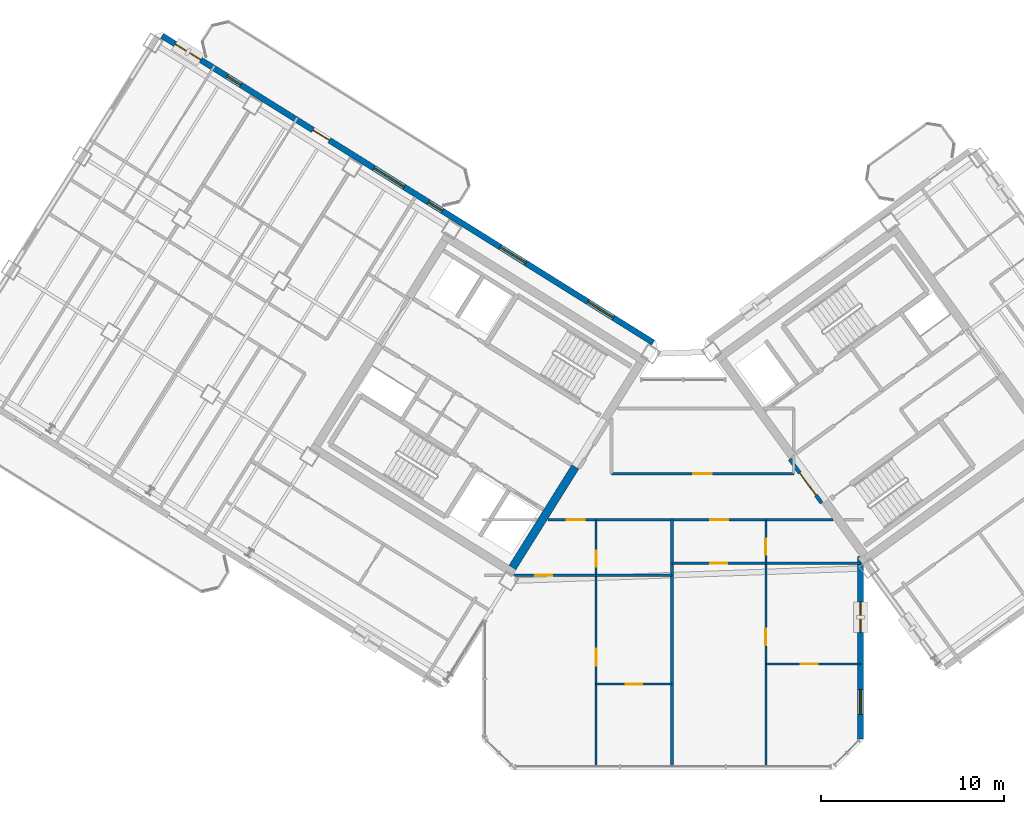
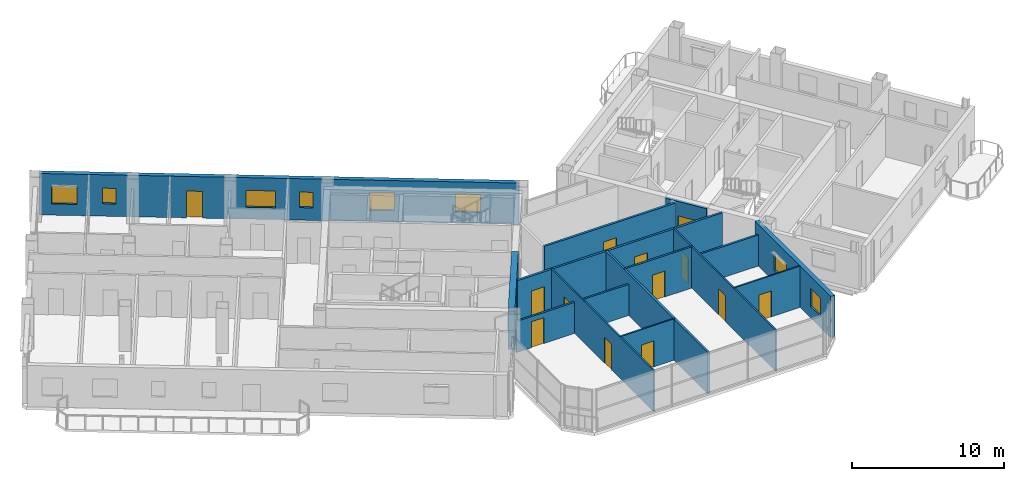
# One storey, part 18 of 27: 15 walls, 13 doors, 8 windows, 21 openings.
"""IFC4 building model written with IfcOpenShell, lengths in metres."""

from ifc_helpers import new_model, si_unit, direction, frame, frame_2d, origin, place, context, subcontext, project, spatial, rectangle, extrude, source, transform, mapped, material, layer, layer_set, type_object, element, fill, save


model = new_model("IFC4")

# Units and contexts
model_context = context("Model", 3, precision=1e-05, world=origin(), true_north=direction((0.0, 1.0)))
body_context = subcontext(model_context, "Body", "Model", "MODEL_VIEW")
ifc_project = project(units=[si_unit("LENGTHUNIT", "METRE"), si_unit("AREAUNIT", "SQUARE_METRE"), si_unit("VOLUMEUNIT", "CUBIC_METRE"), si_unit("PLANEANGLEUNIT", "RADIAN"), si_unit("MASSUNIT", "GRAM", prefix="KILO")], contexts=[model_context])

# Site, building, storey
site_placement = place(None, origin())
site = spatial("IfcSite", under=ifc_project, at=site_placement, CompositionType="ELEMENT")
building_placement = place(site_placement, origin())
building = spatial("IfcBuilding", under=site, at=building_placement, Name="Tlacorven Tower", CompositionType="ELEMENT")
storey_placement = place(building_placement, frame((0.0, 0.0, 242.10009765625)))
storey = spatial("IfcBuildingStorey", under=building, at=storey_placement, Name="L61", CompositionType="ELEMENT", Elevation=242.10009765625)

# Wall
ifc_material_1 = material(Name="Concrete C50/60", Category="concrete")
ifc_layer_1 = layer(ifc_material_1, 0.449951171875)
ifc_layer_set_1 = layer_set([ifc_layer_1], Name="Concrete C50/60")
wall_type_1 = type_object("IfcWallType", Name="WL-COR-450", PredefinedType="SHEAR", material=ifc_layer_set_1)
wall_1_placement = place(storey_placement, frame((36.683349609375, 18.30419921875, 0.0), z_axis=(0.0, 0.0, 1.0), x_axis=(-0.529904039071, -0.848057609704, 0.0)))
element("IfcWall", 1, at=wall_1_placement, inside=storey, type_object=wall_type_1, Name="L61 W core end wall E1.2", PredefinedType="SHEAR", context=body_context, shape_type="SweptSolid", body=[
    extrude(rectangle(XDim=6.47509765625, YDim=0.449951171875, at=frame_2d((3.237548828125, 0.0))), origin(), (0.0, 0.0, 1.0), 3.31982421875),
])

# Wall, openings, doors
ifc_material_2 = material(Name="Gypsum plasterboard acoustic partition", Category="gypsum")
ifc_layer_2 = layer(ifc_material_2, 0.159912109375)
ifc_layer_set_2 = layer_set([ifc_layer_2], Name="Gypsum plasterboard acoustic partition")
wall_type_2 = type_object("IfcWallType", Name="WL-DEM-160", PredefinedType="PARTITIONING", material=ifc_layer_set_2)
wall_2_placement = place(storey_placement, frame((35.178466796875, 15.419921875, 0.0), z_axis=(0.0, 0.0, 1.0), x_axis=(1.0, 0.0, 0.0)))
wall_2 = element("IfcWall", 2, at=wall_2_placement, inside=storey, type_object=wall_type_2, Name="L61 Knuckle Corridor South Wall", PredefinedType="PARTITIONING", context=body_context, shape_type="SweptSolid", body=[
    extrude(rectangle(XDim=15.55224609375, YDim=0.159912109375, at=frame_2d((7.776123046875, 0.0))), origin(), (0.0, 0.0, 1.0), 3.309814453125),
])
opening_1_placement = place(wall_2_placement, frame((1.028076171875, 0.0, 0.0)))
opening_1 = element("IfcOpeningElement", 3, at=opening_1_placement, cuts=wall_2, Name="Opening D11", PredefinedType="OPENING", context=body_context, shape_type="SweptSolid", body=[
    extrude(rectangle(XDim=1.0, YDim=2.10009765625, at=frame_2d((0.5, 1.050048828125))), frame((0.0, 0.08984375, 0.0), z_axis=(0.0, -1.0, 0.0), x_axis=(1.0, 0.0, 0.0)), (0.0, 0.0, 1.0), 0.179931640625),
])
opening_2_placement = place(wall_2_placement, frame((8.857666015625, 0.0, 0.0)))
opening_2 = element("IfcOpeningElement", 4, at=opening_2_placement, cuts=wall_2, Name="Opening D11", PredefinedType="OPENING", context=body_context, shape_type="SweptSolid", body=[
    extrude(rectangle(XDim=1.0, YDim=2.10009765625, at=frame_2d((0.5, 1.050048828125))), frame((0.0, 0.08984375, 0.0), z_axis=(0.0, -1.0, 0.0), x_axis=(1.0, 0.0, 0.0)), (0.0, 0.0, 1.0), 0.179931640625),
])
ifc_material_3 = material(Name="Fire-rated steel door assembly", Category="steel")
door_type_1 = type_object("IfcDoorType", Name="DR-FLT-FD60-1000", OperationType="NOTDEFINED", PredefinedType="DOOR", material=ifc_material_3)
shared_shape_1 = source(origin(), body_context, "Body", "SweptSolid", [
    extrude(rectangle(XDim=1.0, YDim=2.10009765625, at=frame_2d((0.5, 1.050048828125))), frame((0.0, 0.02490234375, 0.0), z_axis=(0.0, -1.0, 0.0), x_axis=(1.0, 0.0, 0.0)), (0.0, 0.0, 1.0), 0.050048828125),
])
door_1_placement = place(opening_1_placement, frame((1.0, 0.0, 0.0), z_axis=(0.0, 0.0, 1.0), x_axis=(-1.0, 0.0, 0.0)))
door_1 = element("IfcDoor", 5, at=door_1_placement, inside=storey, type_object=door_type_1, Name="L61 door 047", OperationType="SINGLE_SWING_LEFT", OverallHeight=2.10009765625, OverallWidth=1.0, PredefinedType="DOOR", context=body_context, shape_type="MappedRepresentation", body=[
    mapped(shared_shape_1, transform((0.0, 0.0, 0.0), scale=1.0)),
])
fill(opening_1, door_1)
door_2_placement = place(opening_2_placement, frame((1.0, 0.0, 0.0), z_axis=(0.0, 0.0, 1.0), x_axis=(-1.0, 0.0, 0.0)))
door_2 = element("IfcDoor", 6, at=door_2_placement, inside=storey, type_object=door_type_1, Name="L61 door 052", OperationType="SINGLE_SWING_RIGHT", OverallHeight=2.10009765625, OverallWidth=1.0, PredefinedType="DOOR", context=body_context, shape_type="MappedRepresentation", body=[
    mapped(shared_shape_1, transform((0.0, 0.0, 0.0), scale=1.0)),
])
fill(opening_2, door_2)

# Wall, opening, door
wall_3_placement = place(storey_placement, frame((38.64990234375, 17.929931640625, 0.0), z_axis=(0.0, 0.0, 1.0), x_axis=(1.0, 0.0, 0.0)))
wall_3 = element("IfcWall", 7, at=wall_3_placement, inside=storey, type_object=wall_type_2, Name="L61 partition 65", PredefinedType="PARTITIONING", context=body_context, shape_type="SweptSolid", body=[
    extrude(rectangle(XDim=9.9501953125, YDim=0.159912109375, at=frame_2d((4.97509765625, 0.0))), origin(), (0.0, 0.0, 1.0), 3.309814453125),
])
opening_3_placement = place(wall_3_placement, frame((4.47509765625, 0.0, 0.0)))
opening_3 = element("IfcOpeningElement", 8, at=opening_3_placement, cuts=wall_3, Name="Opening D11", PredefinedType="OPENING", context=body_context, shape_type="SweptSolid", body=[
    extrude(rectangle(XDim=1.0, YDim=2.10009765625, at=frame_2d((0.5, 1.050048828125))), frame((0.0, 0.08984375, 0.0), z_axis=(0.0, -1.0, 0.0), x_axis=(1.0, 0.0, 0.0)), (0.0, 0.0, 1.0), 0.179931640625),
])
door_3_placement = place(opening_3_placement, origin())
door_3 = element("IfcDoor", 9, at=door_3_placement, inside=storey, type_object=door_type_1, Name="L61 door 042", OperationType="SINGLE_SWING_RIGHT", OverallHeight=2.10009765625, OverallWidth=1.0, PredefinedType="DOOR", context=body_context, shape_type="MappedRepresentation", body=[
    mapped(shared_shape_1, transform((0.0, 0.0, 0.0), scale=1.0)),
])
fill(opening_3, door_3)

# Wall
wall_4_placement = place(storey_placement, frame((41.949951171875, 1.9599609375, 0.0), z_axis=(0.0, 0.0, 1.0), x_axis=(0.0, 1.0, 0.0)))
element("IfcWall", 10, at=wall_4_placement, inside=storey, type_object=wall_type_2, Name="L61 Knuckle Demising Wall 1", PredefinedType="PARTITIONING", context=body_context, shape_type="SweptSolid", body=[
    extrude(rectangle(XDim=13.4599609375, YDim=0.159912109375, at=frame_2d((6.72998046875, 0.0))), origin(), (0.0, 0.0, 1.0), 3.309814453125),
])

# Wall, openings, door, windows
ifc_material_4 = material(Name="Precast concrete C45/55", Category="concrete")
ifc_layer_3 = layer(ifc_material_4, 0.320068359375)
ifc_layer_set_3 = layer_set([ifc_layer_3], Name="Precast concrete C45/55")
wall_type_3 = type_object("IfcWallType", Name="WL-EXT-320", PredefinedType="STANDARD", material=ifc_layer_set_3)
wall_5_placement = place(storey_placement, frame((14.13818359375, 41.825439453125, 0.0), z_axis=(0.0, 0.0, 1.0), x_axis=(0.848046498049, -0.529921821731, 0.0)))
wall_5 = element("IfcWall", 11, at=wall_5_placement, inside=storey, type_object=wall_type_3, Name="L61 Masonry-Frame Recessed Facade Wall 3", PredefinedType="STANDARD", context=body_context, shape_type="SweptSolid", body=[
    extrude(rectangle(XDim=31.587646484375, YDim=0.320068359375, at=frame_2d((15.7939453125, 0.0))), origin(), (0.0, 0.0, 1.0), 3.31982421875),
])
opening_4_placement = place(wall_5_placement, frame((9.711669921875, 0.0, 0.0)))
opening_4 = element("IfcOpeningElement", 12, at=opening_4_placement, cuts=wall_5, Name="Opening D06", PredefinedType="OPENING", context=body_context, shape_type="SweptSolid", body=[
    extrude(rectangle(XDim=1.050048828125, YDim=2.14990234375, at=frame_2d((0.52490234375, 1.074951171875))), frame((0.0, 0.169921875, 0.0), z_axis=(0.0, -1.0, 0.0), x_axis=(1.0, 0.0, 0.0)), (0.0, 0.0, 1.0), 0.340087890625),
])
opening_5_placement = place(wall_5_placement, frame((0.84130859375, 0.0, 0.89990234375)))
opening_5 = element("IfcOpeningElement", 13, at=opening_5_placement, cuts=wall_5, Name="Opening WN07", PredefinedType="OPENING", context=body_context, shape_type="SweptSolid", body=[
    extrude(rectangle(XDim=1.64990234375, YDim=1.449951171875, at=frame_2d((0.824951171875, 0.72509765625))), frame((0.0, 0.169921875, 0.0), z_axis=(0.0, -1.0, 0.0), x_axis=(1.0, 0.0, 0.0)), (0.0, 0.0, 1.0), 0.340087890625),
])
opening_6_placement = place(wall_5_placement, frame((4.171142578125, 0.0, 1.0)))
opening_6 = element("IfcOpeningElement", 14, at=opening_6_placement, cuts=wall_5, Name="Opening WN05", PredefinedType="OPENING", context=body_context, shape_type="SweptSolid", body=[
    extrude(rectangle(XDim=0.89990234375, YDim=1.25, at=frame_2d((0.449951171875, 0.625))), frame((0.0, 0.169921875, 0.0), z_axis=(0.0, -1.0, 0.0), x_axis=(1.0, 0.0, 0.0)), (0.0, 0.0, 1.0), 0.340087890625),
])
opening_7_placement = place(wall_5_placement, frame((13.623779296875, 0.0, 0.949951171875)))
opening_7 = element("IfcOpeningElement", 15, at=opening_7_placement, cuts=wall_5, Name="Opening WN09", PredefinedType="OPENING", context=body_context, shape_type="SweptSolid", body=[
    extrude(rectangle(XDim=1.949951171875, YDim=1.35009765625, at=frame_2d((0.97509765625, 0.675048828125))), frame((0.0, 0.169921875, 0.0), z_axis=(0.0, -1.0, 0.0), x_axis=(1.0, 0.0, 0.0)), (0.0, 0.0, 1.0), 0.340087890625),
])
opening_8_placement = place(wall_5_placement, frame((17.128662109375, 0.0, 1.0)))
opening_8 = element("IfcOpeningElement", 16, at=opening_8_placement, cuts=wall_5, Name="Opening WN05", PredefinedType="OPENING", context=body_context, shape_type="SweptSolid", body=[
    extrude(rectangle(XDim=0.89990234375, YDim=1.25, at=frame_2d((0.449951171875, 0.625))), frame((0.0, 0.169921875, 0.0), z_axis=(0.0, -1.0, 0.0), x_axis=(1.0, 0.0, 0.0)), (0.0, 0.0, 1.0), 0.340087890625),
])
opening_9_placement = place(wall_5_placement, frame((21.74365234375, 0.0, 0.89990234375)))
opening_9 = element("IfcOpeningElement", 17, at=opening_9_placement, cuts=wall_5, Name="Opening WN07", PredefinedType="OPENING", context=body_context, shape_type="SweptSolid", body=[
    extrude(rectangle(XDim=1.64990234375, YDim=1.449951171875, at=frame_2d((0.824951171875, 0.72509765625))), frame((0.0, 0.169921875, 0.0), z_axis=(0.0, -1.0, 0.0), x_axis=(1.0, 0.0, 0.0)), (0.0, 0.0, 1.0), 0.340087890625),
])
opening_10_placement = place(wall_5_placement, frame((27.393798828125, 0.0, 0.89990234375)))
opening_10 = element("IfcOpeningElement", 18, at=opening_10_placement, cuts=wall_5, Name="Opening WN07", PredefinedType="OPENING", context=body_context, shape_type="SweptSolid", body=[
    extrude(rectangle(XDim=1.64990234375, YDim=1.449951171875, at=frame_2d((0.824951171875, 0.72509765625))), frame((0.0, 0.169921875, 0.0), z_axis=(0.0, -1.0, 0.0), x_axis=(1.0, 0.0, 0.0)), (0.0, 0.0, 1.0), 0.340087890625),
])
ifc_material_5 = material(Name="Powder-coated aluminium and timber door", Category="wood")
door_type_2 = type_object("IfcDoorType", Name="DR-EXT-BALC-1050", OperationType="NOTDEFINED", PredefinedType="DOOR", material=ifc_material_5)
shared_shape_2 = source(origin(), body_context, "Body", "SweptSolid", [
    extrude(rectangle(XDim=1.050048828125, YDim=2.14990234375, at=frame_2d((0.52490234375, 1.074951171875))), frame((0.0, 0.02490234375, 0.0), z_axis=(0.0, -1.0, 0.0), x_axis=(1.0, 0.0, 0.0)), (0.0, 0.0, 1.0), 0.050048828125),
])
door_4_placement = place(opening_4_placement, origin())
door_4 = element("IfcDoor", 19, at=door_4_placement, inside=storey, type_object=door_type_2, Name="L61 Outdoor Access Door BAL-L61-W-IN", OperationType="SINGLE_SWING_RIGHT", OverallHeight=2.14990234375, OverallWidth=1.050048828125, PredefinedType="DOOR", context=body_context, shape_type="MappedRepresentation", body=[
    mapped(shared_shape_2, transform((0.0, 0.0, 0.0), scale=1.0)),
])
fill(opening_4, door_4)
ifc_material_6 = material(Name="Dark solar low-E double glazing in anodised aluminium frame", Category="aluminium")
window_type_1 = type_object("IfcWindowType", Name="WN-APT-0900X1350", PartitioningType="SINGLE_PANEL", PredefinedType="WINDOW", material=ifc_material_6)
shared_shape_3 = source(origin(), body_context, "Body", "SweptSolid", [
    extrude(rectangle(XDim=0.89990234375, YDim=1.25, at=frame_2d((0.449951171875, 0.625))), frame((0.0, 0.030029296875, 0.0), z_axis=(0.0, -1.0, 0.0), x_axis=(1.0, 0.0, 0.0)), (0.0, 0.0, 1.0), 0.06005859375),
])
window_1_placement = place(opening_6_placement, origin())
window_1 = element("IfcWindow", 20, at=window_1_placement, inside=storey, type_object=window_type_1, Name="L61 Recessed Masonry-Frame Window L61-03.2", OverallHeight=1.25, OverallWidth=0.89990234375, PartitioningType="SINGLE_PANEL", PredefinedType="WINDOW", context=body_context, shape_type="MappedRepresentation", body=[
    mapped(shared_shape_3, transform((0.0, 0.0, 0.0), scale=1.0)),
])
fill(opening_6, window_1)
window_2_placement = place(opening_8_placement, origin())
window_2 = element("IfcWindow", 21, at=window_2_placement, inside=storey, type_object=window_type_1, Name="L61 Recessed Masonry-Frame Window L61-03.4", OverallHeight=1.25, OverallWidth=0.89990234375, PartitioningType="SINGLE_PANEL", PredefinedType="WINDOW", context=body_context, shape_type="MappedRepresentation", body=[
    mapped(shared_shape_3, transform((0.0, 0.0, 0.0), scale=1.0)),
])
fill(opening_8, window_2)
window_type_2 = type_object("IfcWindowType", Name="WN-APT-1650X1600", PartitioningType="SINGLE_PANEL", PredefinedType="WINDOW", material=ifc_material_6)
shared_shape_4 = source(origin(), body_context, "Body", "SweptSolid", [
    extrude(rectangle(XDim=1.64990234375, YDim=1.449951171875, at=frame_2d((0.824951171875, 0.72509765625))), frame((0.0, 0.030029296875, 0.0), z_axis=(0.0, -1.0, 0.0), x_axis=(1.0, 0.0, 0.0)), (0.0, 0.0, 1.0), 0.06005859375),
])
window_3_placement = place(opening_5_placement, origin())
window_3 = element("IfcWindow", 22, at=window_3_placement, inside=storey, type_object=window_type_2, Name="L61 Recessed Masonry-Frame Window L61-03.1", OverallHeight=1.449951171875, OverallWidth=1.64990234375, PartitioningType="SINGLE_PANEL", PredefinedType="WINDOW", context=body_context, shape_type="MappedRepresentation", body=[
    mapped(shared_shape_4, transform((0.0, 0.0, 0.0), scale=1.0)),
])
fill(opening_5, window_3)
window_4_placement = place(opening_9_placement, origin())
window_4 = element("IfcWindow", 23, at=window_4_placement, inside=storey, type_object=window_type_2, Name="L61 Recessed Masonry-Frame Window L61-03.5", OverallHeight=1.449951171875, OverallWidth=1.64990234375, PartitioningType="SINGLE_PANEL", PredefinedType="WINDOW", context=body_context, shape_type="MappedRepresentation", body=[
    mapped(shared_shape_4, transform((0.0, 0.0, 0.0), scale=1.0)),
])
fill(opening_9, window_4)
window_5_placement = place(opening_10_placement, origin())
window_5 = element("IfcWindow", 24, at=window_5_placement, inside=storey, type_object=window_type_2, Name="L61 Recessed Masonry-Frame Window L61-03.6", OverallHeight=1.449951171875, OverallWidth=1.64990234375, PartitioningType="SINGLE_PANEL", PredefinedType="WINDOW", context=body_context, shape_type="MappedRepresentation", body=[
    mapped(shared_shape_4, transform((0.0, 0.0, 0.0), scale=1.0)),
])
fill(opening_10, window_5)
window_type_3 = type_object("IfcWindowType", Name="WN-GAL-1950X1450", PartitioningType="SINGLE_PANEL", PredefinedType="WINDOW", material=ifc_material_6)
shared_shape_5 = source(origin(), body_context, "Body", "SweptSolid", [
    extrude(rectangle(XDim=1.949951171875, YDim=1.35009765625, at=frame_2d((0.97509765625, 0.675048828125))), frame((0.0, 0.030029296875, 0.0), z_axis=(0.0, -1.0, 0.0), x_axis=(1.0, 0.0, 0.0)), (0.0, 0.0, 1.0), 0.06005859375),
])
window_6_placement = place(opening_7_placement, origin())
window_6 = element("IfcWindow", 25, at=window_6_placement, inside=storey, type_object=window_type_3, Name="L61 Recessed Masonry-Frame Window L61-03.3", OverallHeight=1.35009765625, OverallWidth=1.949951171875, PartitioningType="SINGLE_PANEL", PredefinedType="WINDOW", context=body_context, shape_type="MappedRepresentation", body=[
    mapped(shared_shape_5, transform((0.0, 0.0, 0.0), scale=1.0)),
])
fill(opening_7, window_6)

# Wall, openings, windows
wall_6_placement = place(storey_placement, frame((52.239990234375, 13.4140625, 0.0), z_axis=(0.0, 0.0, 1.0), x_axis=(0.0, -1.0, 0.0)))
wall_6 = element("IfcWall", 26, at=wall_6_placement, inside=storey, type_object=wall_type_3, Name="L61 Masonry-Frame Recessed Facade Wall 8", PredefinedType="STANDARD", context=body_context, shape_type="SweptSolid", body=[
    extrude(rectangle(XDim=9.94775390625, YDim=0.320068359375, at=frame_2d((4.973876953125, 0.0))), origin(), (0.0, 0.0, 1.0), 3.31982421875),
])
opening_11_placement = place(wall_6_placement, frame((2.492431640625, 0.0, 0.89990234375)))
opening_11 = element("IfcOpeningElement", 27, at=opening_11_placement, cuts=wall_6, Name="Opening WN07", PredefinedType="OPENING", context=body_context, shape_type="SweptSolid", body=[
    extrude(rectangle(XDim=1.64990234375, YDim=1.449951171875, at=frame_2d((0.824951171875, 0.72509765625))), frame((0.0, 0.169921875, 0.0), z_axis=(0.0, -1.0, 0.0), x_axis=(1.0, 0.0, 0.0)), (0.0, 0.0, 1.0), 0.340087890625),
])
opening_12_placement = place(wall_6_placement, frame((7.25830078125, 0.0, 0.89990234375)))
opening_12 = element("IfcOpeningElement", 28, at=opening_12_placement, cuts=wall_6, Name="Opening WN08", PredefinedType="OPENING", context=body_context, shape_type="SweptSolid", body=[
    extrude(rectangle(XDim=1.35009765625, YDim=1.449951171875, at=frame_2d((0.675048828125, 0.72509765625))), frame((0.0, 0.169921875, 0.0), z_axis=(0.0, -1.0, 0.0), x_axis=(1.0, 0.0, 0.0)), (0.0, 0.0, 1.0), 0.340087890625),
])
window_7_placement = place(opening_11_placement, origin())
window_7 = element("IfcWindow", 29, at=window_7_placement, inside=storey, type_object=window_type_2, Name="L61 Recessed Masonry-Frame Window L61-08.1", OverallHeight=1.449951171875, OverallWidth=1.64990234375, PartitioningType="SINGLE_PANEL", PredefinedType="WINDOW", context=body_context, shape_type="MappedRepresentation", body=[
    mapped(shared_shape_4, transform((0.0, 0.0, 0.0), scale=1.0)),
])
fill(opening_11, window_7)
window_type_4 = type_object("IfcWindowType", Name="WN-APT-1350X1550", PartitioningType="SINGLE_PANEL", PredefinedType="WINDOW", material=ifc_material_6)
shared_shape_6 = source(origin(), body_context, "Body", "SweptSolid", [
    extrude(rectangle(XDim=1.35009765625, YDim=1.449951171875, at=frame_2d((0.675048828125, 0.72509765625))), frame((0.0, 0.030029296875, 0.0), z_axis=(0.0, -1.0, 0.0), x_axis=(1.0, 0.0, 0.0)), (0.0, 0.0, 1.0), 0.06005859375),
])
window_8_placement = place(opening_12_placement, origin())
window_8 = element("IfcWindow", 30, at=window_8_placement, inside=storey, type_object=window_type_4, Name="L61 Recessed Masonry-Frame Window L61-08.2", OverallHeight=1.449951171875, OverallWidth=1.35009765625, PartitioningType="SINGLE_PANEL", PredefinedType="WINDOW", context=body_context, shape_type="MappedRepresentation", body=[
    mapped(shared_shape_6, transform((0.0, 0.0, 0.0), scale=1.0)),
])
fill(opening_12, window_8)

# Wall, openings, doors
ifc_material_7 = material(Name="Gypsum plasterboard partition", Category="gypsum")
ifc_layer_4 = layer(ifc_material_7, 0.110107421875)
ifc_layer_set_4 = layer_set([ifc_layer_4], Name="Gypsum plasterboard partition")
wall_type_4 = type_object("IfcWallType", Name="WL-INT-110", PredefinedType="PARTITIONING", material=ifc_layer_set_4)
wall_7_placement = place(storey_placement, frame((37.81298828125, 1.9599609375, 0.0), z_axis=(0.0, 0.0, 1.0), x_axis=(0.0, 1.0, 0.0)))
wall_7 = element("IfcWall", 31, at=wall_7_placement, inside=storey, type_object=wall_type_4, Name="L61 partition 71", PredefinedType="PARTITIONING", context=body_context, shape_type="SweptSolid", body=[
    extrude(rectangle(XDim=13.4599609375, YDim=0.110107421875, at=frame_2d((6.72998046875, 0.0))), origin(), (0.0, 0.0, 1.0), 3.309814453125),
])
opening_13_placement = place(wall_7_placement, frame((5.5, 0.0, 0.0)))
opening_13 = element("IfcOpeningElement", 32, at=opening_13_placement, cuts=wall_7, Name="Opening D12", PredefinedType="OPENING", context=body_context, shape_type="SweptSolid", body=[
    extrude(rectangle(XDim=0.919921875, YDim=2.080078125, at=frame_2d((0.4599609375, 1.0400390625))), frame((0.0, 0.06494140625, 0.0), z_axis=(0.0, -1.0, 0.0), x_axis=(1.0, 0.0, 0.0)), (0.0, 0.0, 1.0), 0.130126953125),
])
opening_14_placement = place(wall_7_placement, frame((10.889892578125, 0.0, 0.0)))
opening_14 = element("IfcOpeningElement", 33, at=opening_14_placement, cuts=wall_7, Name="Opening D13", PredefinedType="OPENING", context=body_context, shape_type="SweptSolid", body=[
    extrude(rectangle(XDim=0.8798828125, YDim=2.080078125, at=frame_2d((0.43994140625, 1.0400390625))), frame((0.0, 0.06494140625, 0.0), z_axis=(0.0, -1.0, 0.0), x_axis=(1.0, 0.0, 0.0)), (0.0, 0.0, 1.0), 0.130126953125),
])
door_type_3 = type_object("IfcDoorType", Name="DR-INT-WET-0880", OperationType="NOTDEFINED", PredefinedType="DOOR", material=ifc_material_5)
shared_shape_7 = source(origin(), body_context, "Body", "SweptSolid", [
    extrude(rectangle(XDim=0.8798828125, YDim=2.080078125, at=frame_2d((0.43994140625, 1.0400390625))), frame((0.0, 0.02490234375, 0.0), z_axis=(0.0, -1.0, 0.0), x_axis=(1.0, 0.0, 0.0)), (0.0, 0.0, 1.0), 0.050048828125),
])
door_5_placement = place(opening_14_placement, origin())
door_5 = element("IfcDoor", 34, at=door_5_placement, inside=storey, type_object=door_type_3, Name="L61 door 049", OperationType="SINGLE_SWING_LEFT", OverallHeight=2.080078125, OverallWidth=0.8798828125, PredefinedType="DOOR", context=body_context, shape_type="MappedRepresentation", body=[
    mapped(shared_shape_7, transform((0.0, 0.0, 0.0), scale=1.0)),
])
fill(opening_14, door_5)
door_type_4 = type_object("IfcDoorType", Name="DR-INT-ROOM-0920", OperationType="NOTDEFINED", PredefinedType="DOOR", material=ifc_material_5)
shared_shape_8 = source(origin(), body_context, "Body", "SweptSolid", [
    extrude(rectangle(XDim=0.919921875, YDim=2.080078125, at=frame_2d((0.4599609375, 1.0400390625))), frame((0.0, 0.02490234375, 0.0), z_axis=(0.0, -1.0, 0.0), x_axis=(1.0, 0.0, 0.0)), (0.0, 0.0, 1.0), 0.050048828125),
])
door_6_placement = place(opening_13_placement, origin())
door_6 = element("IfcDoor", 35, at=door_6_placement, inside=storey, type_object=door_type_4, Name="L61 door 045", OperationType="SINGLE_SWING_LEFT", OverallHeight=2.080078125, OverallWidth=0.919921875, PredefinedType="DOOR", context=body_context, shape_type="MappedRepresentation", body=[
    mapped(shared_shape_8, transform((0.0, 0.0, 0.0), scale=1.0)),
])
fill(opening_13, door_6)

# Wall, opening, door
wall_8_placement = place(storey_placement, frame((37.81298828125, 6.449951171875, 0.0), z_axis=(0.0, 0.0, 1.0), x_axis=(1.0, 0.0, 0.0)))
wall_8 = element("IfcWall", 36, at=wall_8_placement, inside=storey, type_object=wall_type_4, Name="L61 partition 74", PredefinedType="PARTITIONING", context=body_context, shape_type="SweptSolid", body=[
    extrude(rectangle(XDim=4.136962890625, YDim=0.110107421875, at=frame_2d((2.068359375, 0.0))), origin(), (0.0, 0.0, 1.0), 3.309814453125),
])
opening_15_placement = place(wall_8_placement, frame((1.6083984375, 0.0, 0.0)))
opening_15 = element("IfcOpeningElement", 37, at=opening_15_placement, cuts=wall_8, Name="Opening D12", PredefinedType="OPENING", context=body_context, shape_type="SweptSolid", body=[
    extrude(rectangle(XDim=0.919921875, YDim=2.080078125, at=frame_2d((0.4599609375, 1.0400390625))), frame((0.0, 0.06494140625, 0.0), z_axis=(0.0, -1.0, 0.0), x_axis=(1.0, 0.0, 0.0)), (0.0, 0.0, 1.0), 0.130126953125),
])
door_7_placement = place(opening_15_placement, origin())
door_7 = element("IfcDoor", 38, at=door_7_placement, inside=storey, type_object=door_type_4, Name="L61 door 046", OperationType="SINGLE_SWING_RIGHT", OverallHeight=2.080078125, OverallWidth=0.919921875, PredefinedType="DOOR", context=body_context, shape_type="MappedRepresentation", body=[
    mapped(shared_shape_8, transform((0.0, 0.0, 0.0), scale=1.0)),
])
fill(opening_15, door_7)

# Wall, openings, doors
wall_9_placement = place(storey_placement, frame((47.072021484375, 1.9599609375, 0.0), z_axis=(0.0, 0.0, 1.0), x_axis=(0.0, 1.0, 0.0)))
wall_9 = element("IfcWall", 39, at=wall_9_placement, inside=storey, type_object=wall_type_4, Name="L61 partition 75", PredefinedType="PARTITIONING", context=body_context, shape_type="SweptSolid", body=[
    extrude(rectangle(XDim=13.4599609375, YDim=0.110107421875, at=frame_2d((6.72998046875, 0.0))), origin(), (0.0, 0.0, 1.0), 3.309814453125),
])
opening_16_placement = place(wall_9_placement, frame((6.60009765625, 0.0, 0.0)))
opening_16 = element("IfcOpeningElement", 40, at=opening_16_placement, cuts=wall_9, Name="Opening D12", PredefinedType="OPENING", context=body_context, shape_type="SweptSolid", body=[
    extrude(rectangle(XDim=0.919921875, YDim=2.080078125, at=frame_2d((0.4599609375, 1.0400390625))), frame((0.0, 0.06494140625, 0.0), z_axis=(0.0, -1.0, 0.0), x_axis=(1.0, 0.0, 0.0)), (0.0, 0.0, 1.0), 0.130126953125),
])
opening_17_placement = place(wall_9_placement, frame((11.5400390625, 0.0, 0.0)))
opening_17 = element("IfcOpeningElement", 41, at=opening_17_placement, cuts=wall_9, Name="Opening D13", PredefinedType="OPENING", context=body_context, shape_type="SweptSolid", body=[
    extrude(rectangle(XDim=0.8798828125, YDim=2.080078125, at=frame_2d((0.43994140625, 1.0400390625))), frame((0.0, 0.06494140625, 0.0), z_axis=(0.0, -1.0, 0.0), x_axis=(1.0, 0.0, 0.0)), (0.0, 0.0, 1.0), 0.130126953125),
])
door_8_placement = place(opening_17_placement, origin())
door_8 = element("IfcDoor", 42, at=door_8_placement, inside=storey, type_object=door_type_3, Name="L61 door 054", OperationType="SINGLE_SWING_RIGHT", OverallHeight=2.080078125, OverallWidth=0.8798828125, PredefinedType="DOOR", context=body_context, shape_type="MappedRepresentation", body=[
    mapped(shared_shape_7, transform((0.0, 0.0, 0.0), scale=1.0)),
])
fill(opening_17, door_8)
door_9_placement = place(opening_16_placement, origin())
door_9 = element("IfcDoor", 43, at=door_9_placement, inside=storey, type_object=door_type_4, Name="L61 door 050", OperationType="SINGLE_SWING_RIGHT", OverallHeight=2.080078125, OverallWidth=0.919921875, PredefinedType="DOOR", context=body_context, shape_type="MappedRepresentation", body=[
    mapped(shared_shape_8, transform((0.0, 0.0, 0.0), scale=1.0)),
])
fill(opening_16, door_9)

# Wall, opening, door
wall_10_placement = place(storey_placement, frame((47.072021484375, 7.550048828125, 0.0), z_axis=(0.0, 0.0, 1.0), x_axis=(1.0, 0.0, 0.0)))
wall_10 = element("IfcWall", 44, at=wall_10_placement, inside=storey, type_object=wall_type_4, Name="L61 partition 78", PredefinedType="PARTITIONING", context=body_context, shape_type="SweptSolid", body=[
    extrude(rectangle(XDim=5.18798828125, YDim=0.110107421875, at=frame_2d((2.593994140625, 0.0))), origin(), (0.0, 0.0, 1.0), 3.309814453125),
])
opening_18_placement = place(wall_10_placement, frame((1.904052734375, 0.0, 0.0)))
opening_18 = element("IfcOpeningElement", 45, at=opening_18_placement, cuts=wall_10, Name="Opening D12", PredefinedType="OPENING", context=body_context, shape_type="SweptSolid", body=[
    extrude(rectangle(XDim=0.919921875, YDim=2.080078125, at=frame_2d((0.4599609375, 1.0400390625))), frame((0.0, 0.06494140625, 0.0), z_axis=(0.0, -1.0, 0.0), x_axis=(1.0, 0.0, 0.0)), (0.0, 0.0, 1.0), 0.130126953125),
])
door_10_placement = place(opening_18_placement, origin())
door_10 = element("IfcDoor", 46, at=door_10_placement, inside=storey, type_object=door_type_4, Name="L61 door 051", OperationType="SINGLE_SWING_LEFT", OverallHeight=2.080078125, OverallWidth=0.919921875, PredefinedType="DOOR", context=body_context, shape_type="MappedRepresentation", body=[
    mapped(shared_shape_8, transform((0.0, 0.0, 0.0), scale=1.0)),
])
fill(opening_18, door_10)

ifc_material_8 = material(Name="Moisture-resistant gypsum plumbing wall", Category="gypsum")
ifc_layer_5 = layer(ifc_material_8, 0.139892578125)
ifc_layer_set_5 = layer_set([ifc_layer_5], Name="Moisture-resistant gypsum plumbing wall")
wall_type_5 = type_object("IfcWallType", Name="WL-PLM-140", PredefinedType="PLUMBINGWALL", material=ifc_layer_set_5)
wall_11_placement = place(storey_placement, frame((33.338623046875, 12.389892578125, 0.0), z_axis=(0.0, 0.0, 1.0), x_axis=(1.0, 0.0, 0.0)))
wall_11 = element("IfcWall", 47, at=wall_11_placement, inside=storey, type_object=wall_type_5, Name="L61 partition 72", PredefinedType="PLUMBINGWALL", context=body_context, shape_type="SweptSolid", body=[
    extrude(rectangle(XDim=4.474365234375, YDim=0.139892578125, at=frame_2d((2.2373046875, 0.0))), origin(), (0.0, 0.0, 1.0), 2.494873046875),
])
opening_19_placement = place(wall_11_placement, frame((1.157958984375, 0.0, 0.0)))
opening_19 = element("IfcOpeningElement", 48, at=opening_19_placement, cuts=wall_11, Name="Opening D12", PredefinedType="OPENING", context=body_context, shape_type="SweptSolid", body=[
    extrude(rectangle(XDim=0.919921875, YDim=2.080078125, at=frame_2d((0.4599609375, 1.0400390625))), frame((0.0, 0.080078125, 0.0), z_axis=(0.0, -1.0, 0.0), x_axis=(1.0, 0.0, 0.0)), (0.0, 0.0, 1.0), 0.159912109375),
])
door_11_placement = place(opening_19_placement, frame((0.919921875, 0.0, 0.0), z_axis=(0.0, 0.0, 1.0), x_axis=(-1.0, 0.0, 0.0)))
door_11 = element("IfcDoor", 49, at=door_11_placement, inside=storey, type_object=door_type_4, Name="L61 door 048", OperationType="SINGLE_SWING_RIGHT", OverallHeight=2.080078125, OverallWidth=0.919921875, PredefinedType="DOOR", context=body_context, shape_type="MappedRepresentation", body=[
    mapped(shared_shape_8, transform((0.0, 0.0, 0.0), scale=1.0)),
])
fill(opening_19, door_11)

# Wall
wall_12_placement = place(storey_placement, frame((37.81298828125, 12.389892578125, 0.0), z_axis=(0.0, 0.0, 1.0), x_axis=(1.0, 0.0, 0.0)))
element("IfcWall", 50, at=wall_12_placement, inside=storey, type_object=wall_type_5, Name="L61 partition 73", PredefinedType="PLUMBINGWALL", context=body_context, shape_type="SweptSolid", body=[
    extrude(rectangle(XDim=4.136962890625, YDim=0.139892578125, at=frame_2d((2.068359375, 0.0))), origin(), (0.0, 0.0, 1.0), 2.494873046875),
])

# Wall, opening, door
wall_13_placement = place(storey_placement, frame((41.949951171875, 13.0400390625, 0.0), z_axis=(0.0, 0.0, 1.0), x_axis=(1.0, 0.0, 0.0)))
wall_13 = element("IfcWall", 51, at=wall_13_placement, inside=storey, type_object=wall_type_5, Name="L61 partition 76", PredefinedType="PLUMBINGWALL", context=body_context, shape_type="SweptSolid", body=[
    extrude(rectangle(XDim=5.1220703125, YDim=0.139892578125, at=frame_2d((2.56103515625, 0.0))), origin(), (0.0, 0.0, 1.0), 3.309814453125),
])
opening_20_placement = place(wall_13_placement, frame((2.10107421875, 0.0, 0.0)))
opening_20 = element("IfcOpeningElement", 52, at=opening_20_placement, cuts=wall_13, Name="Opening D12", PredefinedType="OPENING", context=body_context, shape_type="SweptSolid", body=[
    extrude(rectangle(XDim=0.919921875, YDim=2.080078125, at=frame_2d((0.4599609375, 1.0400390625))), frame((0.0, 0.080078125, 0.0), z_axis=(0.0, -1.0, 0.0), x_axis=(1.0, 0.0, 0.0)), (0.0, 0.0, 1.0), 0.159912109375),
])
door_12_placement = place(opening_20_placement, frame((0.919921875, 0.0, 0.0), z_axis=(0.0, 0.0, 1.0), x_axis=(-1.0, 0.0, 0.0)))
door_12 = element("IfcDoor", 53, at=door_12_placement, inside=storey, type_object=door_type_4, Name="L61 door 053", OperationType="SINGLE_SWING_LEFT", OverallHeight=2.080078125, OverallWidth=0.919921875, PredefinedType="DOOR", context=body_context, shape_type="MappedRepresentation", body=[
    mapped(shared_shape_8, transform((0.0, 0.0, 0.0), scale=1.0)),
])
fill(opening_20, door_12)

# Wall
wall_14_placement = place(storey_placement, frame((47.072021484375, 13.0400390625, 0.0), z_axis=(0.0, 0.0, 1.0), x_axis=(1.0, 0.0, 0.0)))
element("IfcWall", 54, at=wall_14_placement, inside=storey, type_object=wall_type_5, Name="L61 partition 77", PredefinedType="PLUMBINGWALL", context=body_context, shape_type="SweptSolid", body=[
    extrude(rectangle(XDim=5.18798828125, YDim=0.139892578125, at=frame_2d((2.593994140625, 0.0))), origin(), (0.0, 0.0, 1.0), 2.494873046875),
])

# Wall, opening, door
ifc_material_9 = material(Name="Concrete C40/50", Category="concrete")
ifc_layer_6 = layer(ifc_material_9, 0.199951171875)
ifc_layer_set_6 = layer_set([ifc_layer_6], Name="Concrete C40/50")
wall_type_6 = type_object("IfcWallType", Name="WL-SHF-200", PredefinedType="STANDARD", material=ifc_layer_set_6)
wall_15_placement = place(storey_placement, frame((50.119140625, 16.3330078125, 0.0), z_axis=(0.0, 0.0, 1.0), x_axis=(-0.587749856981, 0.809042709391, 0.0)))
wall_15 = element("IfcWall", 55, at=wall_15_placement, inside=storey, type_object=wall_type_6, Name="L61 partition 69", PredefinedType="STANDARD", context=body_context, shape_type="SweptSolid", body=[
    extrude(rectangle(XDim=2.9599609375, YDim=0.199951171875, at=frame_2d((1.47998046875, 0.0))), origin(), (0.0, 0.0, 1.0), 3.309814453125),
])
opening_21_placement = place(wall_15_placement, frame((0.530029296875, 0.0, 0.0)))
opening_21 = element("IfcOpeningElement", 56, at=opening_21_placement, cuts=wall_15, Name="Opening D10", PredefinedType="OPENING", context=body_context, shape_type="SweptSolid", body=[
    extrude(rectangle(XDim=1.5, YDim=2.14990234375, at=frame_2d((0.75, 1.074951171875))), frame((0.0, 0.10986328125, 0.0), z_axis=(0.0, -1.0, 0.0), x_axis=(1.0, 0.0, 0.0)), (0.0, 0.0, 1.0), 0.219970703125),
])
door_type_5 = type_object("IfcDoorType", Name="DR-LOB-FD60-1500", OperationType="DOUBLE_DOOR_SINGLE_SWING", PredefinedType="DOOR", material=ifc_material_3)
shared_shape_9 = source(origin(), body_context, "Body", "SweptSolid", [
    extrude(rectangle(XDim=1.5, YDim=2.14990234375, at=frame_2d((0.75, 1.074951171875))), frame((0.0, 0.02490234375, 0.0), z_axis=(0.0, -1.0, 0.0), x_axis=(1.0, 0.0, 0.0)), (0.0, 0.0, 1.0), 0.050048828125),
])
door_13_placement = place(opening_21_placement, frame((1.5, 0.0, 0.0), z_axis=(0.0, 0.0, 1.0), x_axis=(-1.0, 0.0, 0.0)))
door_13 = element("IfcDoor", 57, at=door_13_placement, inside=storey, type_object=door_type_5, Name="L61 door 044", OperationType="DOUBLE_DOOR_SINGLE_SWING", OverallHeight=2.14990234375, OverallWidth=1.5, PredefinedType="DOOR", context=body_context, shape_type="MappedRepresentation", body=[
    mapped(shared_shape_9, transform((0.0, 0.0, 0.0), scale=1.0)),
])
fill(opening_21, door_13)

save(model, "model.ifc")
